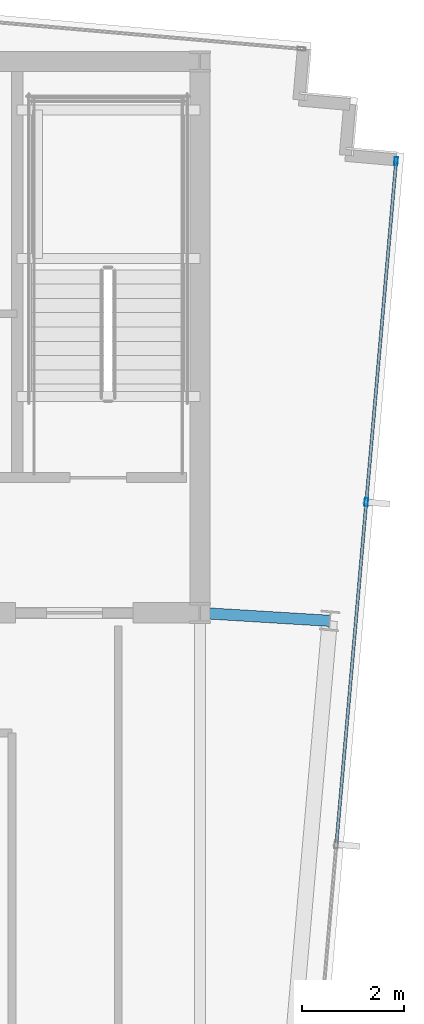
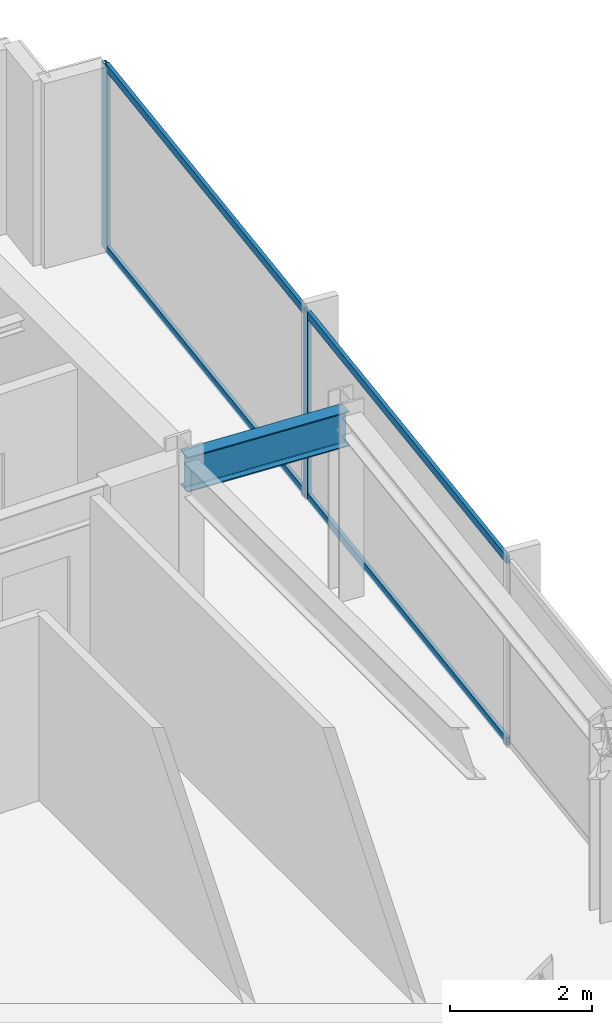
# One storey, part 21 of 33: 6 members, 1 beam, 1 element without a shape of its own.
"""IFC4 building model written with IfcOpenShell, lengths in metres."""

from ifc_helpers import new_model, si_unit, direction, frame, origin, origin_2d, place, context, subcontext, project, spatial, hollow_rectangle, i_section, extrude, material, material_profile, profile_set, type_object, element, aggregate, save


model = new_model("IFC4")

# Units and contexts
model_context = context("Model", 3, precision=1e-05, world=origin(), true_north=direction((0.0, 1.0)))
body_context = subcontext(model_context, "Body", "Model", "MODEL_VIEW")
ifc_project = project(units=[si_unit("LENGTHUNIT", "METRE"), si_unit("AREAUNIT", "SQUARE_METRE"), si_unit("VOLUMEUNIT", "CUBIC_METRE"), si_unit("PLANEANGLEUNIT", "RADIAN"), si_unit("MASSUNIT", "GRAM", prefix="KILO")], contexts=[model_context])

# Site, building, storey
site_placement = place(None, origin())
site = spatial("IfcSite", under=ifc_project, at=site_placement, CompositionType="ELEMENT")
building_placement = place(site_placement, origin())
building = spatial("IfcBuilding", under=site, at=building_placement, Name="Yelkora Congress Tower", CompositionType="ELEMENT")
storey_placement = place(building_placement, frame((0.0, 0.0, 286.300048828125)))
storey = spatial("IfcBuildingStorey", under=building, at=storey_placement, Name="L80", CompositionType="ELEMENT", Elevation=286.300048828125)

# Beam
ifc_material_1 = material(Name="Steel S355J2", Category="steel")
ifc_material_profile_1 = material_profile(ifc_material_1, i_section(OverallWidth=0.219970703125, OverallDepth=0.60009765625, WebThickness=0.011962890625, FlangeThickness=0.01904296875, FilletRadius=0.02392578125, at=origin_2d()), Name="IPE 600")
ifc_profile_set_1 = profile_set([ifc_material_profile_1], Name="Steel S355J2")
beam_type = type_object("IfcBeamType", Name="BM-GIRD-IPE600", PredefinedType="BEAM", material=ifc_profile_set_1)
beam_placement = place(storey_placement, frame((56.302001953125, 35.24560546875, 2.8798828125), z_axis=(-0.99816287892, 0.060587681471, 0.0), x_axis=(-0.060587681471, -0.99816287892, 0.0)))
element("IfcBeam", 1, at=beam_placement, inside=storey, type_object=beam_type, Name="L80 Primary Frame Girder E02", PredefinedType="BEAM", context=body_context, shape_type="SweptSolid", body=[
    extrude(i_section(OverallWidth=0.219970703125, OverallDepth=0.60009765625, WebThickness=0.011962890625, FlangeThickness=0.01904296875, FilletRadius=0.02392578125, at=origin_2d()), origin(), (0.0, 0.0, 1.0), 2.546630859375),
])

# Curtain wall, members
ifc_material_2 = material(Name="Anodised aluminium and insulated glass", Category="aluminium")
curtain_wall_type = type_object("IfcCurtainWallType", Name="CW-SYS-B5", PredefinedType="NOTDEFINED", material=ifc_material_2)
curtain_wall_placement = place(storey_placement, origin())
curtain_wall = element("IfcCurtainWall", 2, at=curtain_wall_placement, inside=storey, type_object=curtain_wall_type, Name="L80 Unitised Curtain Wall 15", PredefinedType="NOTDEFINED")
ifc_material_3 = material(Name="Anodised aluminium 6063-T6", Category="aluminium")
ifc_material_profile_2 = material_profile(ifc_material_3, hollow_rectangle(XDim=0.06494140625, YDim=0.159912109375, WallThickness=0.00390625, at=origin_2d()), Name="ALU 65x160x4")
ifc_profile_set_2 = profile_set([ifc_material_profile_2], Name="Anodised aluminium 6063-T6")
member_type_1 = type_object("IfcMemberType", Name="MEM-ML-B5", PredefinedType="MULLION", material=ifc_profile_set_2)
member_1_placement = place(storey_placement, frame((57.601318359375, 44.243896484375, 0.0), z_axis=(0.0, 0.0, 1.0), x_axis=(0.996194463398, -0.087158425264, 0.0)))
member_1 = element("IfcMember", 3, at=member_1_placement, type_object=member_type_1, Name="CW-B5 mullion 1", PredefinedType="MULLION", context=body_context, shape_type="SweptSolid", body=[
    extrude(hollow_rectangle(XDim=0.06494140625, YDim=0.159912109375, WallThickness=0.00390625, at=origin_2d()), origin(), (0.0, 0.0, 1.0), 3.179931640625),
])
member_2_placement = place(storey_placement, frame((57.017578125, 37.572021484375, 0.0), z_axis=(0.0, 0.0, 1.0), x_axis=(0.996194463398, -0.087158425264, 0.0)))
member_2 = element("IfcMember", 4, at=member_2_placement, type_object=member_type_1, Name="CW-B5 mullion 2", PredefinedType="MULLION", context=body_context, shape_type="SweptSolid", body=[
    extrude(hollow_rectangle(XDim=0.06494140625, YDim=0.159912109375, WallThickness=0.00390625, at=origin_2d()), origin(), (0.0, 0.0, 1.0), 3.179931640625),
])
ifc_material_profile_3 = material_profile(ifc_material_3, hollow_rectangle(XDim=0.06005859375, YDim=0.1298828125, WallThickness=0.00390625, at=origin_2d()), Name="ALU 60x130x4")
ifc_profile_set_3 = profile_set([ifc_material_profile_3], Name="Anodised aluminium 6063-T6")
member_type_2 = type_object("IfcMemberType", Name="MEM-TR-B5", PredefinedType="USERDEFINED", material=ifc_profile_set_3)
member_3_placement = place(storey_placement, frame((57.598388671875, 44.21142578125, 0.030029296875), z_axis=(-0.08716649365, -0.996193757451, 0.0), x_axis=(0.996193757451, -0.08716649365, 0.0)))
member_3 = element("IfcMember", 5, at=member_3_placement, type_object=member_type_2, Name="CW-B5 transom 1.1", ObjectType="TRANSOM", PredefinedType="USERDEFINED", context=body_context, shape_type="SweptSolid", body=[
    extrude(hollow_rectangle(XDim=0.06005859375, YDim=0.1298828125, WallThickness=0.00390625, at=origin_2d()), origin(), (0.0, 0.0, 1.0), 6.63232421875),
])
member_4_placement = place(storey_placement, frame((57.598388671875, 44.21142578125, 3.14990234375), z_axis=(-0.08716649365, -0.996193757451, 0.0), x_axis=(0.996193757451, -0.08716649365, 0.0)))
member_4 = element("IfcMember", 6, at=member_4_placement, type_object=member_type_2, Name="CW-B5 transom 1.2", ObjectType="TRANSOM", PredefinedType="USERDEFINED", context=body_context, shape_type="SweptSolid", body=[
    extrude(hollow_rectangle(XDim=0.06005859375, YDim=0.1298828125, WallThickness=0.00390625, at=origin_2d()), origin(), (0.0, 0.0, 1.0), 6.63232421875),
])
member_5_placement = place(storey_placement, frame((57.0146484375, 37.53955078125, 0.030029296875), z_axis=(-0.087143321513, -0.996195784731, 0.0), x_axis=(0.996195784731, -0.087143321513, 0.0)))
member_5 = element("IfcMember", 7, at=member_5_placement, type_object=member_type_2, Name="CW-B5 transom 2.1", ObjectType="TRANSOM", PredefinedType="USERDEFINED", context=body_context, shape_type="SweptSolid", body=[
    extrude(hollow_rectangle(XDim=0.06005859375, YDim=0.1298828125, WallThickness=0.00390625, at=origin_2d()), origin(), (0.0, 0.0, 1.0), 6.6650390625),
])
member_6_placement = place(storey_placement, frame((57.0146484375, 37.53955078125, 3.14990234375), z_axis=(-0.087143321513, -0.996195784731, 0.0), x_axis=(0.996195784731, -0.087143321513, 0.0)))
member_6 = element("IfcMember", 8, at=member_6_placement, type_object=member_type_2, Name="CW-B5 transom 2.2", ObjectType="TRANSOM", PredefinedType="USERDEFINED", context=body_context, shape_type="SweptSolid", body=[
    extrude(hollow_rectangle(XDim=0.06005859375, YDim=0.1298828125, WallThickness=0.00390625, at=origin_2d()), origin(), (0.0, 0.0, 1.0), 6.6650390625),
])
aggregate(curtain_wall, [member_1, member_2, member_3, member_4, member_5, member_6])

save(model, "model.ifc")
